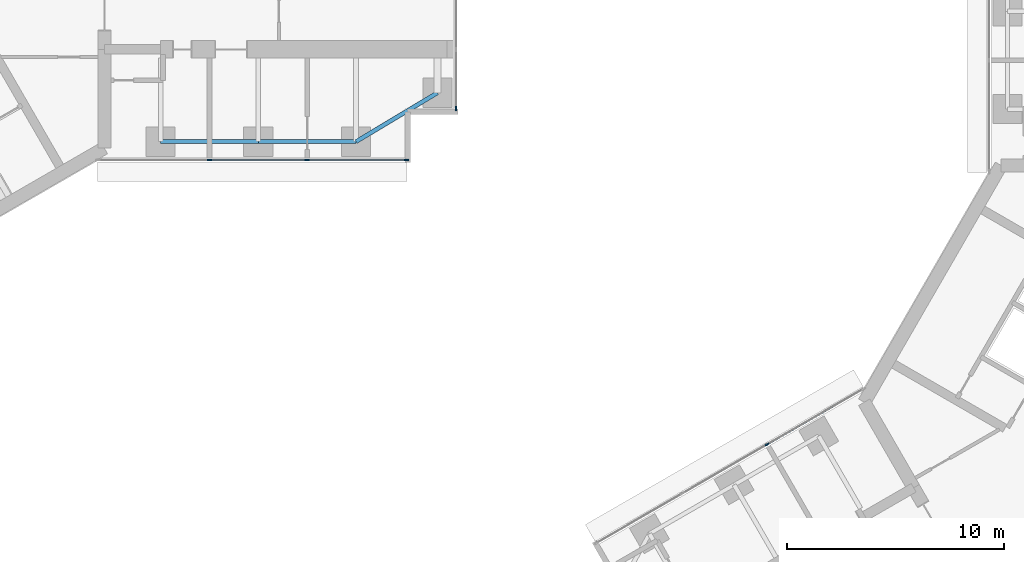
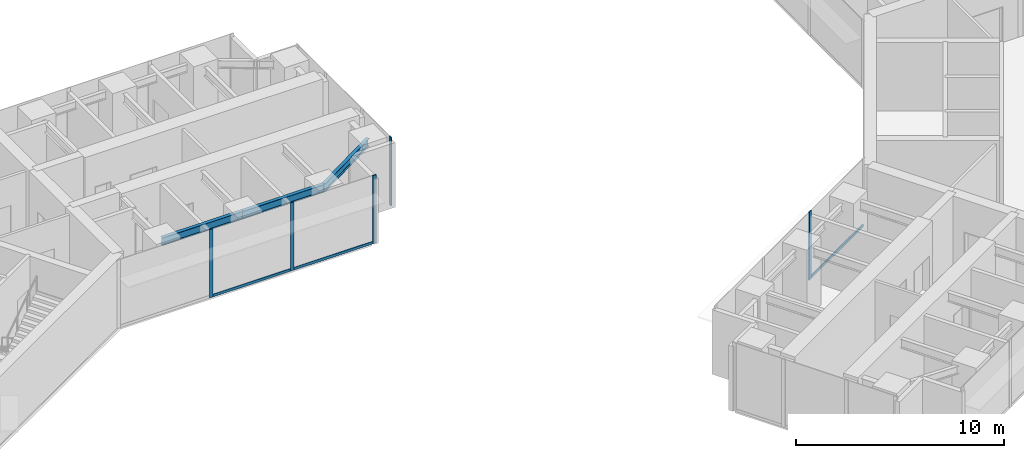
# One storey, part 4 of 21: 8 members, 3 beams, 3 elements without a shape of their own.
"""IFC4 building model written with IfcOpenShell, lengths in metres."""

from ifc_helpers import new_model, si_unit, direction, frame, origin, origin_2d, place, context, subcontext, project, spatial, rectangle, i_section, extrude, material, material_profile, profile_set, type_object, element, aggregate, save


model = new_model("IFC4")

# Units and contexts
model_context = context("Model", 3, precision=1e-05, world=origin(), true_north=direction((0.0, 1.0)))
body_context = subcontext(model_context, "Body", "Model", "MODEL_VIEW")
ifc_project = project(units=[si_unit("LENGTHUNIT", "METRE"), si_unit("AREAUNIT", "SQUARE_METRE"), si_unit("VOLUMEUNIT", "CUBIC_METRE"), si_unit("PLANEANGLEUNIT", "RADIAN"), si_unit("MASSUNIT", "GRAM", prefix="KILO")], contexts=[model_context])

# Site, building, storey
site_placement = place(None, origin())
site = spatial("IfcSite", under=ifc_project, at=site_placement, CompositionType="ELEMENT")
building_placement = place(site_placement, origin())
building = spatial("IfcBuilding", under=site, at=building_placement, Name="Upepo Twin Towers", CompositionType="ELEMENT")
storey_placement = place(building_placement, frame((0.0, 0.0, 117.5)))
storey = spatial("IfcBuildingStorey", under=building, at=storey_placement, Name="L28", CompositionType="ELEMENT", Elevation=117.5)

# Beams
ifc_material_1 = material(Name="Steel S355", Category="steel")
ifc_material_profile_1 = material_profile(ifc_material_1, i_section(OverallWidth=0.1904296875, OverallDepth=0.45703125, WebThickness=0.009033203125, FlangeThickness=0.014404296875, FilletRadius=0.01025390625, at=origin_2d()), Name="UB 457x191x74")
ifc_profile_set_1 = profile_set([ifc_material_profile_1], Name="Steel S355")
beam_type = type_object("IfcBeamType", Name="Beam UB 457x191x74", PredefinedType="BEAM", material=ifc_profile_set_1)
for number, where, z_axis, x_axis, name in (
    (1, (13.5, -6.0, 3.571533203125), (1.0, 0.0, 0.0), (0.0, 1.0, 0.0), "T1 edge beam AR 13.5-18.0"),
    (2, (18.0, -6.0, 3.571533203125), (1.0, 0.0, 0.0), (0.0, 1.0, 0.0), "T1 edge beam AR 18.0-22.5"),
):
    element("IfcBeam", number, at=place(storey_placement, frame(where, z_axis=z_axis, x_axis=x_axis)), inside=storey, type_object=beam_type, Name=name, PredefinedType="BEAM", context=body_context, shape_type="SweptSolid", body=[
        extrude(i_section(OverallWidth=0.1904296875, OverallDepth=0.45703125, WebThickness=0.009033203125, FlangeThickness=0.014404296875, FilletRadius=0.01025390625, at=origin_2d()), origin(), (0.0, 0.0, 1.0), 4.5),
    ])
beam_placement = place(storey_placement, frame((22.5, -6.0, 3.571533203125), z_axis=(0.857492925713, 0.514495755428, 0.0), x_axis=(-0.514495755428, 0.857492925713, 0.0)))
element("IfcBeam", 3, at=beam_placement, inside=storey, type_object=beam_type, Name="T1 nose edge beam AR", PredefinedType="BEAM", context=body_context, shape_type="SweptSolid", body=[
    extrude(i_section(OverallWidth=0.1904296875, OverallDepth=0.45703125, WebThickness=0.009033203125, FlangeThickness=0.014404296875, FilletRadius=0.01025390625, at=origin_2d()), origin(), (0.0, 0.0, 1.0), 4.373291015625),
])

# Curtain wall, members
ifc_material_2 = material(Name="Aluminium and fritted glass", Category="aluminium")
curtain_wall_type = type_object("IfcCurtainWallType", Name="Tower curtain wall TW2, fritted glass", PredefinedType="NOTDEFINED", material=ifc_material_2)
curtain_wall_1_placement = place(storey_placement, origin())
curtain_wall_1 = element("IfcCurtainWall", 4, at=curtain_wall_1_placement, inside=storey, type_object=curtain_wall_type, Name="T1 L28 wing A flank R curtain wall", PredefinedType="NOTDEFINED")
ifc_material_3 = material(Name="Aluminium mullion", Category="aluminium")
ifc_material_profile_2 = material_profile(ifc_material_3, rectangle(XDim=0.06494140625, YDim=0.199951171875, at=origin_2d()), Name="MULLION 65x200")
ifc_profile_set_2 = profile_set([ifc_material_profile_2], Name="Aluminium mullion")
member_type_1 = type_object("IfcMemberType", Name="Mullion 65x200 TW2", PredefinedType="MULLION", material=ifc_profile_set_2)
member_1_placement = place(storey_placement, frame((24.8173828125, -6.85009765625, 0.0), z_axis=(0.0, 0.0, 1.0), x_axis=(0.0, -1.0, 0.0)))
member_1 = element("IfcMember", 5, at=member_1_placement, type_object=member_type_1, Name="T1 L28 wing A flank R curtain wall mullion 1", PredefinedType="MULLION", context=body_context, shape_type="SweptSolid", body=[
    extrude(rectangle(XDim=0.06494140625, YDim=0.199951171875, at=origin_2d()), origin(), (0.0, 0.0, 1.0), 4.0),
])
member_2_placement = place(storey_placement, frame((20.25, -6.85009765625, 0.0), z_axis=(0.0, 0.0, 1.0), x_axis=(0.0, -1.0, 0.0)))
member_2 = element("IfcMember", 6, at=member_2_placement, type_object=member_type_1, Name="T1 L28 wing A flank R curtain wall mullion 2", PredefinedType="MULLION", context=body_context, shape_type="SweptSolid", body=[
    extrude(rectangle(XDim=0.06494140625, YDim=0.199951171875, at=origin_2d()), origin(), (0.0, 0.0, 1.0), 4.0),
])
member_3_placement = place(storey_placement, frame((15.75, -6.85009765625, 0.0), z_axis=(0.0, 0.0, 1.0), x_axis=(0.0, -1.0, 0.0)))
member_3 = element("IfcMember", 7, at=member_3_placement, type_object=member_type_1, Name="T1 L28 wing A flank R curtain wall mullion 3", PredefinedType="MULLION", context=body_context, shape_type="SweptSolid", body=[
    extrude(rectangle(XDim=0.06494140625, YDim=0.199951171875, at=origin_2d()), origin(), (0.0, 0.0, 1.0), 4.0),
])

# Curtain wall, member
curtain_wall_2_placement = place(storey_placement, origin())
curtain_wall_2 = element("IfcCurtainWall", 8, at=curtain_wall_2_placement, inside=storey, type_object=curtain_wall_type, Name="T1 L28 wing A nose curtain wall", PredefinedType="NOTDEFINED")
member_4_placement = place(storey_placement, frame((27.10009765625, -4.467529296875, 0.0), z_axis=(0.0, 0.0, 1.0), x_axis=(-1.0, 0.0, 0.0)))
member_4 = element("IfcMember", 9, at=member_4_placement, type_object=member_type_1, Name="T1 L28 wing A nose curtain wall mullion 1", PredefinedType="MULLION", context=body_context, shape_type="SweptSolid", body=[
    extrude(rectangle(XDim=0.06494140625, YDim=0.199951171875, at=origin_2d()), origin(), (0.0, 0.0, 1.0), 4.0),
])
aggregate(curtain_wall_2, [member_4])

curtain_wall_3_placement = place(storey_placement, origin())
curtain_wall_3 = element("IfcCurtainWall", 10, at=curtain_wall_3_placement, inside=storey, type_object=curtain_wall_type, Name="T2 L28 wing B flank R curtain wall", PredefinedType="NOTDEFINED")
member_5_placement = place(storey_placement, frame((41.43505859375, -19.942626953125, 0.0), z_axis=(0.0, 0.0, 1.0), x_axis=(-0.500000010308, 0.866025397833, 0.0)))
member_5 = element("IfcMember", 11, at=member_5_placement, type_object=member_type_1, Name="T2 L28 wing B flank R curtain wall mullion 3", PredefinedType="MULLION", context=body_context, shape_type="SweptSolid", body=[
    extrude(rectangle(XDim=0.06494140625, YDim=0.199951171875, at=origin_2d()), origin(), (0.0, 0.0, 1.0), 4.0),
])

# Member
ifc_material_4 = material(Name="Aluminium transom", Category="aluminium")
ifc_material_profile_3 = material_profile(ifc_material_4, rectangle(XDim=0.06494140625, YDim=0.14990234375, at=origin_2d()), Name="TRANSOM 65x150")
ifc_profile_set_3 = profile_set([ifc_material_profile_3], Name="Aluminium transom")
member_type_2 = type_object("IfcMemberType", Name="Transom 65x150 TW2", PredefinedType="USERDEFINED", material=ifc_profile_set_3)
member_6_placement = place(storey_placement, frame((24.784912109375, -6.85009765625, 0.074951171875), z_axis=(-1.0, 0.0, 0.0), x_axis=(0.0, -1.0, 0.0)))
member_6 = element("IfcMember", 12, at=member_6_placement, type_object=member_type_2, Name="T1 L28 wing A flank R curtain wall transom 1", ObjectType="TRANSOM", PredefinedType="USERDEFINED", context=body_context, shape_type="SweptSolid", body=[
    extrude(rectangle(XDim=0.06494140625, YDim=0.14990234375, at=origin_2d()), origin(), (0.0, 0.0, 1.0), 4.50244140625),
])

member_7_placement = place(storey_placement, frame((20.217529296875, -6.85009765625, 0.074951171875), z_axis=(-1.0, 0.0, 0.0), x_axis=(0.0, -1.0, 0.0)))
member_7 = element("IfcMember", 13, at=member_7_placement, type_object=member_type_2, Name="T1 L28 wing A flank R curtain wall transom 2", ObjectType="TRANSOM", PredefinedType="USERDEFINED", context=body_context, shape_type="SweptSolid", body=[
    extrude(rectangle(XDim=0.06494140625, YDim=0.14990234375, at=origin_2d()), origin(), (0.0, 0.0, 1.0), 4.43505859375),
])

aggregate(curtain_wall_1, [member_1, member_2, member_3, member_6, member_7])

member_8_placement = place(storey_placement, frame((41.463134765625, -19.926513671875, 0.074951171875), z_axis=(0.866033897268, 0.499985288567, 0.0), x_axis=(-0.499985288567, 0.866033897268, 0.0)))
member_8 = element("IfcMember", 14, at=member_8_placement, type_object=member_type_2, Name="T2 L28 wing B flank R curtain wall transom 3", ObjectType="TRANSOM", PredefinedType="USERDEFINED", context=body_context, shape_type="SweptSolid", body=[
    extrude(rectangle(XDim=0.06494140625, YDim=0.14990234375, at=origin_2d()), origin(), (0.0, 0.0, 1.0), 5.065673828125),
])

aggregate(curtain_wall_3, [member_5, member_8])

save(model, "model.ifc")
